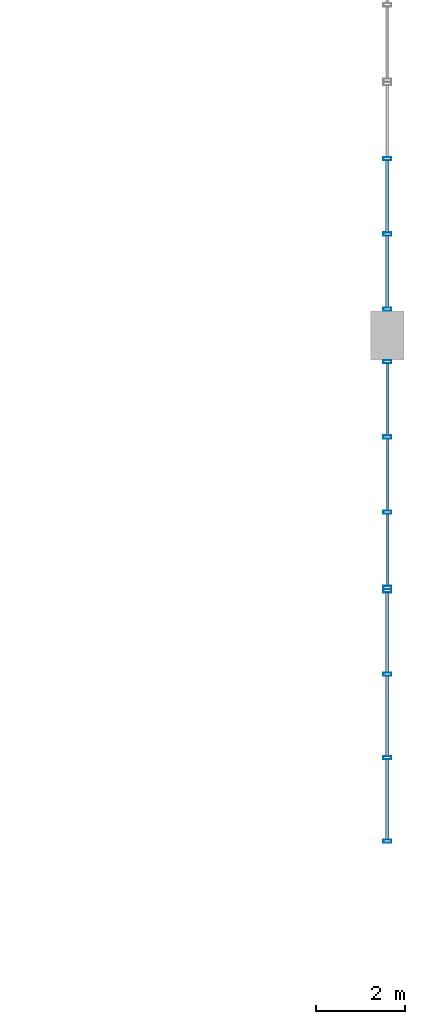
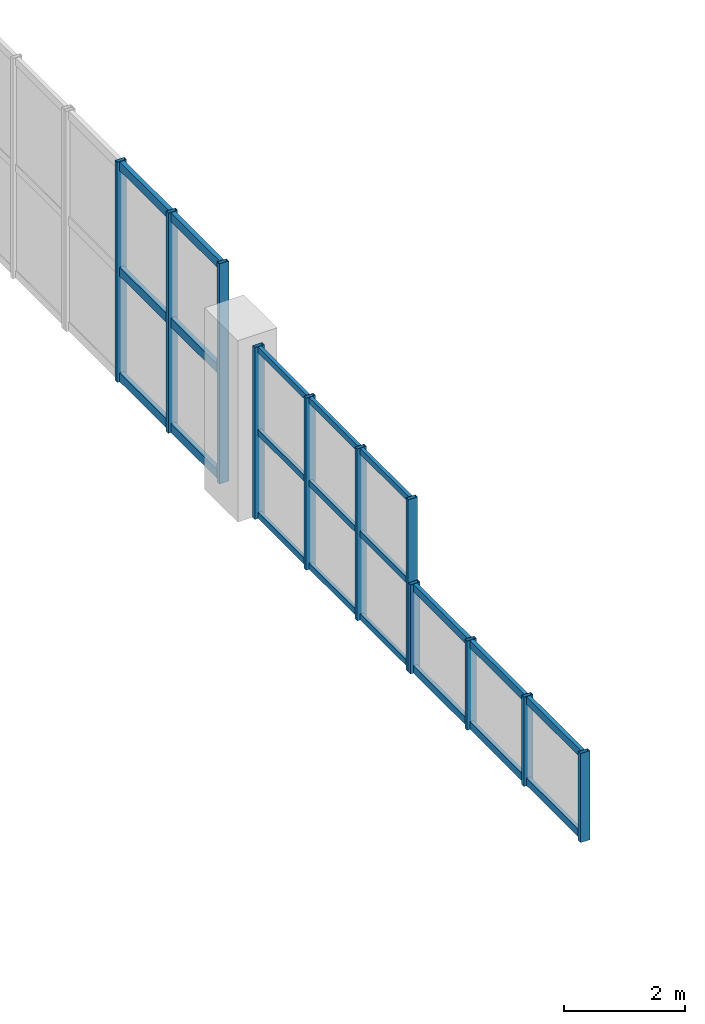
# One storey, part 24 of 48: 32 members, 3 elements without a shape of their own.
"""IFC4 building model written with IfcOpenShell, lengths in metres."""

from ifc_helpers import new_model, si_unit, direction, frame, origin, origin_2d, place, context, subcontext, project, spatial, hollow_rectangle, extrude, material, layer, layer_set, material_profile, profile_set, type_object, element, aggregate, save


model = new_model("IFC4")

# Units and contexts
model_context = context("Model", 3, precision=1e-05, world=origin(), true_north=direction((0.0, 1.0)))
body_context = subcontext(model_context, "Body", "Model", "MODEL_VIEW")
ifc_project = project(units=[si_unit("LENGTHUNIT", "METRE"), si_unit("AREAUNIT", "SQUARE_METRE"), si_unit("VOLUMEUNIT", "CUBIC_METRE"), si_unit("PLANEANGLEUNIT", "RADIAN"), si_unit("MASSUNIT", "GRAM", prefix="KILO"), si_unit("POWERUNIT", "WATT"), si_unit("THERMODYNAMICTEMPERATUREUNIT", "KELVIN")], contexts=[model_context])

# Site, building, storey
site_placement = place(None, origin())
site = spatial("IfcSite", under=ifc_project, at=site_placement, CompositionType="ELEMENT")
building_placement = place(site_placement, origin())
building = spatial("IfcBuilding", under=site, at=building_placement, Name="Kelmbourne Parkland Aquatics Centre", CompositionType="ELEMENT")
storey_placement = place(building_placement, frame((0.0, 0.0, 14.699951171875)))
storey = spatial("IfcBuildingStorey", under=building, at=storey_placement, Name="L03", CompositionType="ELEMENT", Elevation=14.699951171875)

# Curtain wall, members
ifc_material = material(Name="Thermally broken anodised aluminium framing", Category="aluminium")
ifc_layer_1 = layer(ifc_material, 0.179931640625)
ifc_layer_set_1 = layer_set([ifc_layer_1], Name="Thermally broken anodised aluminium framing")
curtain_wall_type_1 = type_object("IfcCurtainWallType", Name="CW-13", PredefinedType="NOTDEFINED", material=ifc_layer_set_1)
curtain_wall_1_placement = place(storey_placement, origin())
curtain_wall_1 = element("IfcCurtainWall", 1, at=curtain_wall_1_placement, inside=storey, type_object=curtain_wall_type_1, Name="Wave-hall clerestory curtain wall CW-L03-061", PredefinedType="NOTDEFINED")
ifc_material_profile_1 = material_profile(ifc_material, hollow_rectangle(XDim=0.074951171875, YDim=0.179931640625, WallThickness=0.00439453125, at=origin_2d()), Name="CW-M 75x180")
ifc_profile_set_1 = profile_set([ifc_material_profile_1], Name="Thermally broken anodised aluminium framing")
member_type_1 = type_object("IfcMemberType", Name="MB-MUL-2", PredefinedType="MULLION", material=ifc_profile_set_1)
member_1_placement = place(storey_placement, frame((175.199951171875, 69.237548828125, 0.0), z_axis=(0.0, 0.0, 1.0), x_axis=(0.0, 1.0, 0.0)))
member_1 = element("IfcMember", 2, at=member_1_placement, type_object=member_type_1, Name="CW-L03-061 mullion 0", PredefinedType="MULLION", context=body_context, shape_type="SweptSolid", body=[
    extrude(hollow_rectangle(XDim=0.074951171875, YDim=0.179931640625, WallThickness=0.00439453125, at=origin_2d()), origin(), (0.0, 0.0, 1.0), 1.799560546875),
])
member_2_placement = place(storey_placement, frame((175.199951171875, 71.112548828125, 0.0), z_axis=(0.0, 0.0, 1.0), x_axis=(0.0, 1.0, 0.0)))
member_2 = element("IfcMember", 3, at=member_2_placement, type_object=member_type_1, Name="CW-L03-061 mullion 1", PredefinedType="MULLION", context=body_context, shape_type="SweptSolid", body=[
    extrude(hollow_rectangle(XDim=0.074951171875, YDim=0.179931640625, WallThickness=0.00439453125, at=origin_2d()), origin(), (0.0, 0.0, 1.0), 1.799560546875),
])
member_3_placement = place(storey_placement, frame((175.199951171875, 72.987548828125, 0.0), z_axis=(0.0, 0.0, 1.0), x_axis=(0.0, 1.0, 0.0)))
member_3 = element("IfcMember", 4, at=member_3_placement, type_object=member_type_1, Name="CW-L03-061 mullion 2", PredefinedType="MULLION", context=body_context, shape_type="SweptSolid", body=[
    extrude(hollow_rectangle(XDim=0.074951171875, YDim=0.179931640625, WallThickness=0.00439453125, at=origin_2d()), origin(), (0.0, 0.0, 1.0), 1.799560546875),
])
member_4_placement = place(storey_placement, frame((175.199951171875, 74.862548828125, 0.0), z_axis=(0.0, 0.0, 1.0), x_axis=(0.0, 1.0, 0.0)))
member_4 = element("IfcMember", 5, at=member_4_placement, type_object=member_type_1, Name="CW-L03-061 mullion 3", PredefinedType="MULLION", context=body_context, shape_type="SweptSolid", body=[
    extrude(hollow_rectangle(XDim=0.074951171875, YDim=0.179931640625, WallThickness=0.00439453125, at=origin_2d()), origin(), (0.0, 0.0, 1.0), 1.799560546875),
])

ifc_layer_2 = layer(ifc_material, 0.179931640625)
ifc_layer_set_2 = layer_set([ifc_layer_2], Name="Thermally broken anodised aluminium framing")
curtain_wall_type_2 = type_object("IfcCurtainWallType", Name="CW-18", PredefinedType="NOTDEFINED", material=ifc_layer_set_2)
curtain_wall_2_placement = place(storey_placement, origin())
curtain_wall_2 = element("IfcCurtainWall", 6, at=curtain_wall_2_placement, inside=storey, type_object=curtain_wall_type_2, Name="Wave-hall clerestory curtain wall CW-L03-066", PredefinedType="NOTDEFINED")
member_5_placement = place(storey_placement, frame((175.199951171875, 74.9375, 0.0), z_axis=(0.0, 0.0, 1.0), x_axis=(0.0, 1.0, 0.0)))
member_5 = element("IfcMember", 7, at=member_5_placement, type_object=member_type_1, Name="CW-L03-066 mullion 0", PredefinedType="MULLION", context=body_context, shape_type="SweptSolid", body=[
    extrude(hollow_rectangle(XDim=0.074951171875, YDim=0.179931640625, WallThickness=0.00439453125, at=origin_2d()), origin(), (0.0, 0.0, 1.0), 3.47314453125),
])
member_6_placement = place(storey_placement, frame((175.199951171875, 76.62841796875, 0.0), z_axis=(0.0, 0.0, 1.0), x_axis=(0.0, 1.0, 0.0)))
member_6 = element("IfcMember", 8, at=member_6_placement, type_object=member_type_1, Name="CW-L03-066 mullion 1", PredefinedType="MULLION", context=body_context, shape_type="SweptSolid", body=[
    extrude(hollow_rectangle(XDim=0.074951171875, YDim=0.179931640625, WallThickness=0.00439453125, at=origin_2d()), origin(), (0.0, 0.0, 1.0), 3.47314453125),
])
member_7_placement = place(storey_placement, frame((175.199951171875, 78.319580078125, 0.0), z_axis=(0.0, 0.0, 1.0), x_axis=(0.0, 1.0, 0.0)))
member_7 = element("IfcMember", 9, at=member_7_placement, type_object=member_type_1, Name="CW-L03-066 mullion 2", PredefinedType="MULLION", context=body_context, shape_type="SweptSolid", body=[
    extrude(hollow_rectangle(XDim=0.074951171875, YDim=0.179931640625, WallThickness=0.00439453125, at=origin_2d()), origin(), (0.0, 0.0, 1.0), 3.47314453125),
])
member_8_placement = place(storey_placement, frame((175.199951171875, 80.010498046875, 0.0), z_axis=(0.0, 0.0, 1.0), x_axis=(0.0, 1.0, 0.0)))
member_8 = element("IfcMember", 10, at=member_8_placement, type_object=member_type_1, Name="CW-L03-066 mullion 3", PredefinedType="MULLION", context=body_context, shape_type="SweptSolid", body=[
    extrude(hollow_rectangle(XDim=0.074951171875, YDim=0.179931640625, WallThickness=0.00439453125, at=origin_2d()), origin(), (0.0, 0.0, 1.0), 3.47314453125),
])

ifc_layer_3 = layer(ifc_material, 0.179931640625)
ifc_layer_set_3 = layer_set([ifc_layer_3], Name="Thermally broken anodised aluminium framing")
curtain_wall_type_3 = type_object("IfcCurtainWallType", Name="CW-23", PredefinedType="NOTDEFINED", material=ifc_layer_set_3)
curtain_wall_3_placement = place(storey_placement, origin())
curtain_wall_3 = element("IfcCurtainWall", 11, at=curtain_wall_3_placement, inside=storey, type_object=curtain_wall_type_3, Name="Wave-hall clerestory curtain wall CW-L03-071", PredefinedType="NOTDEFINED")
member_9_placement = place(storey_placement, frame((175.199951171875, 81.189453125, 0.0), z_axis=(0.0, 0.0, 1.0), x_axis=(0.0, 1.0, 0.0)))
member_9 = element("IfcMember", 12, at=member_9_placement, type_object=member_type_1, Name="CW-L03-071 mullion 0", PredefinedType="MULLION", context=body_context, shape_type="SweptSolid", body=[
    extrude(hollow_rectangle(XDim=0.074951171875, YDim=0.179931640625, WallThickness=0.00439453125, at=origin_2d()), origin(), (0.0, 0.0, 1.0), 4.449951171875),
])
member_10_placement = place(storey_placement, frame((175.199951171875, 82.880615234375, 0.0), z_axis=(0.0, 0.0, 1.0), x_axis=(0.0, 1.0, 0.0)))
member_10 = element("IfcMember", 13, at=member_10_placement, type_object=member_type_1, Name="CW-L03-071 mullion 1", PredefinedType="MULLION", context=body_context, shape_type="SweptSolid", body=[
    extrude(hollow_rectangle(XDim=0.074951171875, YDim=0.179931640625, WallThickness=0.00439453125, at=origin_2d()), origin(), (0.0, 0.0, 1.0), 4.449951171875),
])
member_11_placement = place(storey_placement, frame((175.199951171875, 84.571533203125, 0.0), z_axis=(0.0, 0.0, 1.0), x_axis=(0.0, 1.0, 0.0)))
member_11 = element("IfcMember", 14, at=member_11_placement, type_object=member_type_1, Name="CW-L03-071 mullion 2", PredefinedType="MULLION", context=body_context, shape_type="SweptSolid", body=[
    extrude(hollow_rectangle(XDim=0.074951171875, YDim=0.179931640625, WallThickness=0.00439453125, at=origin_2d()), origin(), (0.0, 0.0, 1.0), 4.449951171875),
])

# Member
ifc_material_profile_2 = material_profile(ifc_material, hollow_rectangle(XDim=0.06494140625, YDim=0.1201171875, WallThickness=0.00341796875, at=origin_2d()), Name="CW-T 65x120")
ifc_profile_set_2 = profile_set([ifc_material_profile_2], Name="Thermally broken anodised aluminium framing")
member_type_2 = type_object("IfcMemberType", Name="MB-TRN-1", PredefinedType="USERDEFINED", material=ifc_profile_set_2)
member_12_placement = place(storey_placement, frame((175.199951171875, 74.970947265625, 0.06298828125), z_axis=(0.0, 1.0, 0.0), x_axis=(-1.0, 0.0, 0.0)))
member_12 = element("IfcMember", 15, at=member_12_placement, type_object=member_type_2, Name="CW-L03-066 transom 0-0", ObjectType="TRANSOM", PredefinedType="USERDEFINED", context=body_context, shape_type="SweptSolid", body=[
    extrude(hollow_rectangle(XDim=0.06494140625, YDim=0.1201171875, WallThickness=0.00341796875, at=origin_2d()), origin(), (0.0, 0.0, 1.0), 1.6240234375),
])

member_13_placement = place(storey_placement, frame((175.199951171875, 76.662109375, 0.06298828125), z_axis=(0.0, 1.0, 0.0), x_axis=(-1.0, 0.0, 0.0)))
member_13 = element("IfcMember", 16, at=member_13_placement, type_object=member_type_2, Name="CW-L03-066 transom 0-1", ObjectType="TRANSOM", PredefinedType="USERDEFINED", context=body_context, shape_type="SweptSolid", body=[
    extrude(hollow_rectangle(XDim=0.06494140625, YDim=0.1201171875, WallThickness=0.00341796875, at=origin_2d()), origin(), (0.0, 0.0, 1.0), 1.623779296875),
])

member_14_placement = place(storey_placement, frame((175.199951171875, 78.35302734375, 0.06298828125), z_axis=(0.0, 1.0, 0.0), x_axis=(-1.0, 0.0, 0.0)))
member_14 = element("IfcMember", 17, at=member_14_placement, type_object=member_type_2, Name="CW-L03-066 transom 0-2", ObjectType="TRANSOM", PredefinedType="USERDEFINED", context=body_context, shape_type="SweptSolid", body=[
    extrude(hollow_rectangle(XDim=0.06494140625, YDim=0.1201171875, WallThickness=0.00341796875, at=origin_2d()), origin(), (0.0, 0.0, 1.0), 1.6240234375),
])

member_15_placement = place(storey_placement, frame((175.199951171875, 74.970947265625, 1.736572265625), z_axis=(0.0, 1.0, 0.0), x_axis=(-1.0, 0.0, 0.0)))
member_15 = element("IfcMember", 18, at=member_15_placement, type_object=member_type_2, Name="CW-L03-066 transom 1-0", ObjectType="TRANSOM", PredefinedType="USERDEFINED", context=body_context, shape_type="SweptSolid", body=[
    extrude(hollow_rectangle(XDim=0.06494140625, YDim=0.1201171875, WallThickness=0.00341796875, at=origin_2d()), origin(), (0.0, 0.0, 1.0), 1.6240234375),
])

member_16_placement = place(storey_placement, frame((175.199951171875, 76.662109375, 1.736572265625), z_axis=(0.0, 1.0, 0.0), x_axis=(-1.0, 0.0, 0.0)))
member_16 = element("IfcMember", 19, at=member_16_placement, type_object=member_type_2, Name="CW-L03-066 transom 1-1", ObjectType="TRANSOM", PredefinedType="USERDEFINED", context=body_context, shape_type="SweptSolid", body=[
    extrude(hollow_rectangle(XDim=0.06494140625, YDim=0.1201171875, WallThickness=0.00341796875, at=origin_2d()), origin(), (0.0, 0.0, 1.0), 1.623779296875),
])

member_17_placement = place(storey_placement, frame((175.199951171875, 78.35302734375, 1.736572265625), z_axis=(0.0, 1.0, 0.0), x_axis=(-1.0, 0.0, 0.0)))
member_17 = element("IfcMember", 20, at=member_17_placement, type_object=member_type_2, Name="CW-L03-066 transom 1-2", ObjectType="TRANSOM", PredefinedType="USERDEFINED", context=body_context, shape_type="SweptSolid", body=[
    extrude(hollow_rectangle(XDim=0.06494140625, YDim=0.1201171875, WallThickness=0.00341796875, at=origin_2d()), origin(), (0.0, 0.0, 1.0), 1.6240234375),
])

member_18_placement = place(storey_placement, frame((175.199951171875, 74.970947265625, 3.41015625), z_axis=(0.0, 1.0, 0.0), x_axis=(-1.0, 0.0, 0.0)))
member_18 = element("IfcMember", 21, at=member_18_placement, type_object=member_type_2, Name="CW-L03-066 transom 2-0", ObjectType="TRANSOM", PredefinedType="USERDEFINED", context=body_context, shape_type="SweptSolid", body=[
    extrude(hollow_rectangle(XDim=0.06494140625, YDim=0.1201171875, WallThickness=0.00341796875, at=origin_2d()), origin(), (0.0, 0.0, 1.0), 1.6240234375),
])

member_19_placement = place(storey_placement, frame((175.199951171875, 76.662109375, 3.41015625), z_axis=(0.0, 1.0, 0.0), x_axis=(-1.0, 0.0, 0.0)))
member_19 = element("IfcMember", 22, at=member_19_placement, type_object=member_type_2, Name="CW-L03-066 transom 2-1", ObjectType="TRANSOM", PredefinedType="USERDEFINED", context=body_context, shape_type="SweptSolid", body=[
    extrude(hollow_rectangle(XDim=0.06494140625, YDim=0.1201171875, WallThickness=0.00341796875, at=origin_2d()), origin(), (0.0, 0.0, 1.0), 1.623779296875),
])

member_20_placement = place(storey_placement, frame((175.199951171875, 78.35302734375, 3.41015625), z_axis=(0.0, 1.0, 0.0), x_axis=(-1.0, 0.0, 0.0)))
member_20 = element("IfcMember", 23, at=member_20_placement, type_object=member_type_2, Name="CW-L03-066 transom 2-2", ObjectType="TRANSOM", PredefinedType="USERDEFINED", context=body_context, shape_type="SweptSolid", body=[
    extrude(hollow_rectangle(XDim=0.06494140625, YDim=0.1201171875, WallThickness=0.00341796875, at=origin_2d()), origin(), (0.0, 0.0, 1.0), 1.6240234375),
])

aggregate(curtain_wall_2, [member_5, member_6, member_7, member_8, member_12, member_13, member_14, member_15, member_16, member_17, member_18, member_19, member_20])

ifc_material_profile_3 = material_profile(ifc_material, hollow_rectangle(XDim=0.074951171875, YDim=0.14990234375, WallThickness=0.00390625, at=origin_2d()), Name="CW-T 75x150")
ifc_profile_set_3 = profile_set([ifc_material_profile_3], Name="Thermally broken anodised aluminium framing")
member_type_3 = type_object("IfcMemberType", Name="MB-TRN-2", PredefinedType="USERDEFINED", material=ifc_profile_set_3)
member_21_placement = place(storey_placement, frame((175.199951171875, 69.27099609375, 0.078125), z_axis=(0.0, 1.0, 0.0), x_axis=(-1.0, 0.0, 0.0)))
member_21 = element("IfcMember", 24, at=member_21_placement, type_object=member_type_3, Name="CW-L03-061 transom 0-0", ObjectType="TRANSOM", PredefinedType="USERDEFINED", context=body_context, shape_type="SweptSolid", body=[
    extrude(hollow_rectangle(XDim=0.074951171875, YDim=0.14990234375, WallThickness=0.00390625, at=origin_2d()), origin(), (0.0, 0.0, 1.0), 1.80810546875),
])

member_22_placement = place(storey_placement, frame((175.199951171875, 71.14599609375, 0.078125), z_axis=(0.0, 1.0, 0.0), x_axis=(-1.0, 0.0, 0.0)))
member_22 = element("IfcMember", 25, at=member_22_placement, type_object=member_type_3, Name="CW-L03-061 transom 0-1", ObjectType="TRANSOM", PredefinedType="USERDEFINED", context=body_context, shape_type="SweptSolid", body=[
    extrude(hollow_rectangle(XDim=0.074951171875, YDim=0.14990234375, WallThickness=0.00390625, at=origin_2d()), origin(), (0.0, 0.0, 1.0), 1.80810546875),
])

member_23_placement = place(storey_placement, frame((175.199951171875, 73.02099609375, 0.078125), z_axis=(0.0, 1.0, 0.0), x_axis=(-1.0, 0.0, 0.0)))
member_23 = element("IfcMember", 26, at=member_23_placement, type_object=member_type_3, Name="CW-L03-061 transom 0-2", ObjectType="TRANSOM", PredefinedType="USERDEFINED", context=body_context, shape_type="SweptSolid", body=[
    extrude(hollow_rectangle(XDim=0.074951171875, YDim=0.14990234375, WallThickness=0.00390625, at=origin_2d()), origin(), (0.0, 0.0, 1.0), 1.80810546875),
])

member_24_placement = place(storey_placement, frame((175.199951171875, 69.27099609375, 1.721435546875), z_axis=(0.0, 1.0, 0.0), x_axis=(-1.0, 0.0, 0.0)))
member_24 = element("IfcMember", 27, at=member_24_placement, type_object=member_type_3, Name="CW-L03-061 transom 1-0", ObjectType="TRANSOM", PredefinedType="USERDEFINED", context=body_context, shape_type="SweptSolid", body=[
    extrude(hollow_rectangle(XDim=0.074951171875, YDim=0.14990234375, WallThickness=0.00390625, at=origin_2d()), origin(), (0.0, 0.0, 1.0), 1.80810546875),
])

member_25_placement = place(storey_placement, frame((175.199951171875, 71.14599609375, 1.721435546875), z_axis=(0.0, 1.0, 0.0), x_axis=(-1.0, 0.0, 0.0)))
member_25 = element("IfcMember", 28, at=member_25_placement, type_object=member_type_3, Name="CW-L03-061 transom 1-1", ObjectType="TRANSOM", PredefinedType="USERDEFINED", context=body_context, shape_type="SweptSolid", body=[
    extrude(hollow_rectangle(XDim=0.074951171875, YDim=0.14990234375, WallThickness=0.00390625, at=origin_2d()), origin(), (0.0, 0.0, 1.0), 1.80810546875),
])

member_26_placement = place(storey_placement, frame((175.199951171875, 73.02099609375, 1.721435546875), z_axis=(0.0, 1.0, 0.0), x_axis=(-1.0, 0.0, 0.0)))
member_26 = element("IfcMember", 29, at=member_26_placement, type_object=member_type_3, Name="CW-L03-061 transom 1-2", ObjectType="TRANSOM", PredefinedType="USERDEFINED", context=body_context, shape_type="SweptSolid", body=[
    extrude(hollow_rectangle(XDim=0.074951171875, YDim=0.14990234375, WallThickness=0.00390625, at=origin_2d()), origin(), (0.0, 0.0, 1.0), 1.80810546875),
])

aggregate(curtain_wall_1, [member_1, member_2, member_3, member_4, member_21, member_22, member_23, member_24, member_25, member_26])

ifc_material_profile_4 = material_profile(ifc_material, hollow_rectangle(XDim=0.0849609375, YDim=0.179931640625, WallThickness=0.00439453125, at=origin_2d()), Name="CW-T 85x180")
ifc_profile_set_4 = profile_set([ifc_material_profile_4], Name="Thermally broken anodised aluminium framing")
member_type_4 = type_object("IfcMemberType", Name="MB-TRN-3", PredefinedType="USERDEFINED", material=ifc_profile_set_4)
member_27_placement = place(storey_placement, frame((175.199951171875, 81.222900390625, 0.093017578125), z_axis=(0.0, 1.0, 0.0), x_axis=(-1.0, 0.0, 0.0)))
member_27 = element("IfcMember", 30, at=member_27_placement, type_object=member_type_4, Name="CW-L03-071 transom 0-0", ObjectType="TRANSOM", PredefinedType="USERDEFINED", context=body_context, shape_type="SweptSolid", body=[
    extrude(hollow_rectangle(XDim=0.0849609375, YDim=0.179931640625, WallThickness=0.00439453125, at=origin_2d()), origin(), (0.0, 0.0, 1.0), 1.6240234375),
])

member_28_placement = place(storey_placement, frame((175.199951171875, 82.9140625, 0.093017578125), z_axis=(0.0, 1.0, 0.0), x_axis=(-1.0, 0.0, 0.0)))
member_28 = element("IfcMember", 31, at=member_28_placement, type_object=member_type_4, Name="CW-L03-071 transom 0-1", ObjectType="TRANSOM", PredefinedType="USERDEFINED", context=body_context, shape_type="SweptSolid", body=[
    extrude(hollow_rectangle(XDim=0.0849609375, YDim=0.179931640625, WallThickness=0.00439453125, at=origin_2d()), origin(), (0.0, 0.0, 1.0), 1.6240234375),
])

member_29_placement = place(storey_placement, frame((175.199951171875, 81.222900390625, 2.22509765625), z_axis=(0.0, 1.0, 0.0), x_axis=(-1.0, 0.0, 0.0)))
member_29 = element("IfcMember", 32, at=member_29_placement, type_object=member_type_4, Name="CW-L03-071 transom 1-0", ObjectType="TRANSOM", PredefinedType="USERDEFINED", context=body_context, shape_type="SweptSolid", body=[
    extrude(hollow_rectangle(XDim=0.0849609375, YDim=0.179931640625, WallThickness=0.00439453125, at=origin_2d()), origin(), (0.0, 0.0, 1.0), 1.6240234375),
])

member_30_placement = place(storey_placement, frame((175.199951171875, 82.9140625, 2.22509765625), z_axis=(0.0, 1.0, 0.0), x_axis=(-1.0, 0.0, 0.0)))
member_30 = element("IfcMember", 33, at=member_30_placement, type_object=member_type_4, Name="CW-L03-071 transom 1-1", ObjectType="TRANSOM", PredefinedType="USERDEFINED", context=body_context, shape_type="SweptSolid", body=[
    extrude(hollow_rectangle(XDim=0.0849609375, YDim=0.179931640625, WallThickness=0.00439453125, at=origin_2d()), origin(), (0.0, 0.0, 1.0), 1.6240234375),
])

member_31_placement = place(storey_placement, frame((175.199951171875, 81.222900390625, 4.35693359375), z_axis=(0.0, 1.0, 0.0), x_axis=(-1.0, 0.0, 0.0)))
member_31 = element("IfcMember", 34, at=member_31_placement, type_object=member_type_4, Name="CW-L03-071 transom 2-0", ObjectType="TRANSOM", PredefinedType="USERDEFINED", context=body_context, shape_type="SweptSolid", body=[
    extrude(hollow_rectangle(XDim=0.0849609375, YDim=0.179931640625, WallThickness=0.00439453125, at=origin_2d()), origin(), (0.0, 0.0, 1.0), 1.6240234375),
])

member_32_placement = place(storey_placement, frame((175.199951171875, 82.9140625, 4.35693359375), z_axis=(0.0, 1.0, 0.0), x_axis=(-1.0, 0.0, 0.0)))
member_32 = element("IfcMember", 35, at=member_32_placement, type_object=member_type_4, Name="CW-L03-071 transom 2-1", ObjectType="TRANSOM", PredefinedType="USERDEFINED", context=body_context, shape_type="SweptSolid", body=[
    extrude(hollow_rectangle(XDim=0.0849609375, YDim=0.179931640625, WallThickness=0.00439453125, at=origin_2d()), origin(), (0.0, 0.0, 1.0), 1.6240234375),
])

aggregate(curtain_wall_3, [member_9, member_10, member_11, member_27, member_28, member_29, member_30, member_31, member_32])

save(model, "model.ifc")
